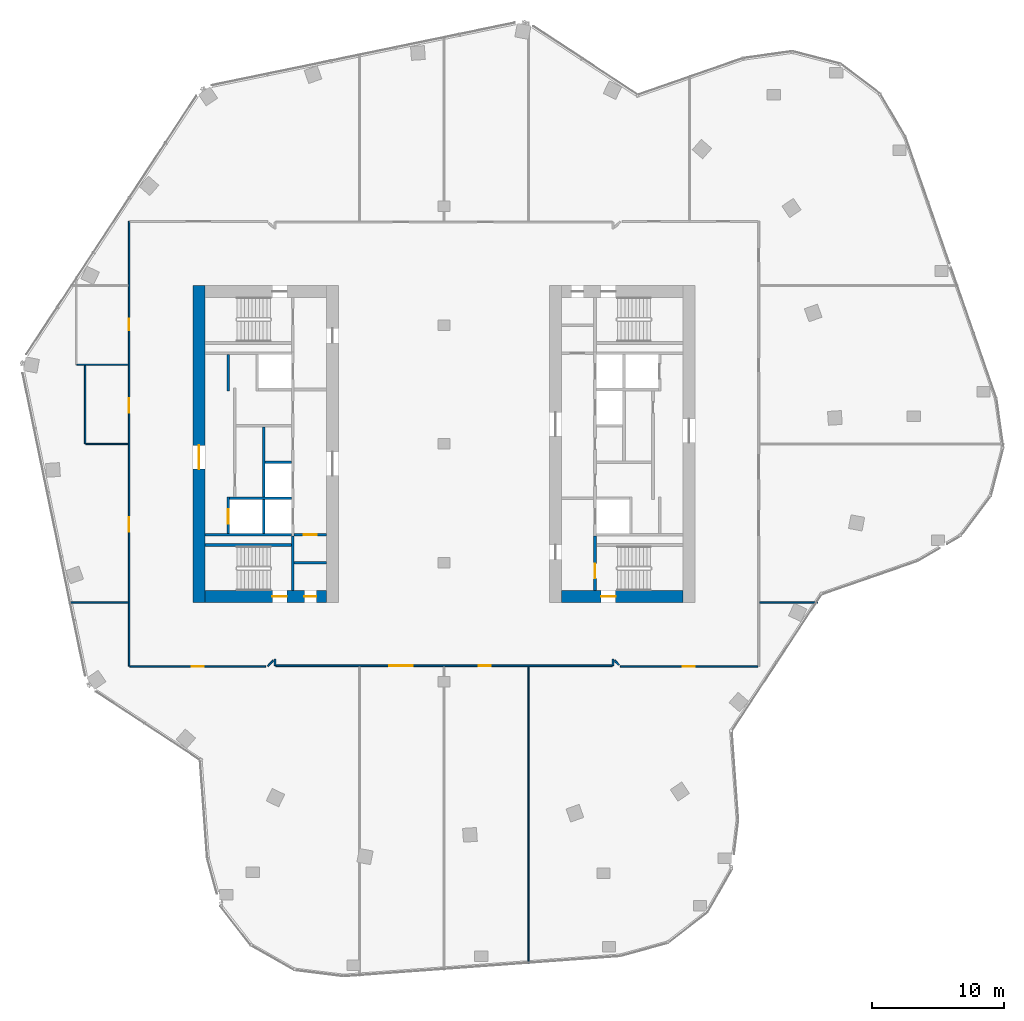
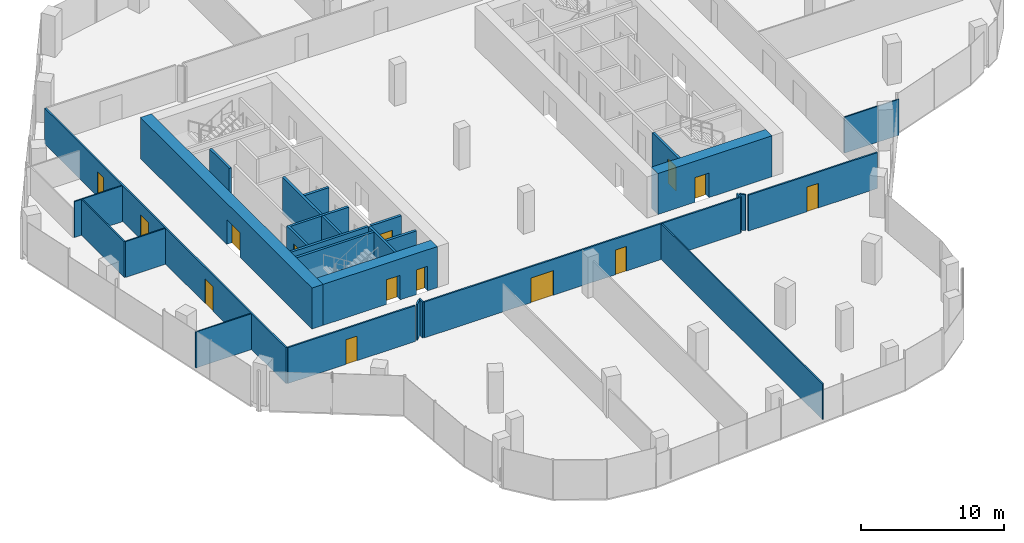
# One storey, part 18 of 24: 29 walls, 14 doors, 14 openings.
"""IFC4 building model written with IfcOpenShell, lengths in metres."""

from ifc_helpers import new_model, si_unit, direction, frame, frame_2d, origin, place, context, subcontext, project, spatial, rectangle, extrude, material, layer, layer_set, type_object, element, fill, save


model = new_model("IFC4")

# Units and contexts
model_context = context("Model", 3, precision=1e-05, world=origin(), true_north=direction((0.0, 1.0)))
body_context = subcontext(model_context, "Body", "Model", "MODEL_VIEW")
ifc_project = project(units=[si_unit("LENGTHUNIT", "METRE"), si_unit("AREAUNIT", "SQUARE_METRE"), si_unit("VOLUMEUNIT", "CUBIC_METRE"), si_unit("PLANEANGLEUNIT", "RADIAN"), si_unit("MASSUNIT", "GRAM", prefix="KILO")], contexts=[model_context])

# Site, building, storey
site_placement = place(None, origin())
site = spatial("IfcSite", under=ifc_project, at=site_placement, CompositionType="ELEMENT")
building_placement = place(site_placement, origin())
building = spatial("IfcBuilding", under=site, at=building_placement, Name="Orlundy Tower", CompositionType="ELEMENT")
storey_placement = place(building_placement, frame((0.0, 0.0, 246.0)))
storey = spatial("IfcBuildingStorey", under=building, at=storey_placement, Name="L65", CompositionType="ELEMENT", Elevation=246.0)

# Wall, openings, doors
ifc_material_1 = material(Name="Concrete C60/75", Category="concrete")
ifc_layer_1 = layer(ifc_material_1, 0.89990234375)
ifc_layer_set_1 = layer_set([ifc_layer_1], Name="CORE WALL 900 C60/75")
wall_type_1 = type_object("IfcWallType", Name="CORE WALL 900 C60/75", PredefinedType="SHEAR", material=ifc_layer_set_1)
wall_1_placement = place(storey_placement, frame((-18.10009765625, -11.550048828125, 0.0), z_axis=(0.0, 0.0, 1.0), x_axis=(1.0, 0.0, 0.0)))
wall_1 = element("IfcWall", 1, at=wall_1_placement, inside=storey, type_object=wall_type_1, Name="Core wall W-S L65", PredefinedType="SHEAR", context=body_context, shape_type="SweptSolid", body=[
    extrude(rectangle(XDim=9.2001953125, YDim=0.89990234375, at=frame_2d((4.60009765625, 0.0))), origin(), (0.0, 0.0, 1.0), 3.5),
])
opening_1_placement = place(wall_1_placement, frame((5.10009765625, 0.0, 0.0)))
opening_1 = element("IfcOpeningElement", 2, at=opening_1_placement, cuts=wall_1, Name="Opening 49012", PredefinedType="OPENING", context=body_context, shape_type="SweptSolid", body=[
    extrude(rectangle(XDim=1.10009765625, YDim=2.10009765625, at=frame_2d((0.550048828125, 1.050048828125))), frame((0.0, 0.4599609375, 0.0), z_axis=(0.0, -1.0, 0.0), x_axis=(1.0, 0.0, 0.0)), (0.0, 0.0, 1.0), 0.919921875),
])
opening_2_placement = place(wall_1_placement, frame((7.530029296875, 0.0, 0.0)))
opening_2 = element("IfcOpeningElement", 3, at=opening_2_placement, cuts=wall_1, Name="Opening 49014", PredefinedType="OPENING", context=body_context, shape_type="SweptSolid", body=[
    extrude(rectangle(XDim=0.89990234375, YDim=2.10009765625, at=frame_2d((0.449951171875, 1.050048828125))), frame((0.0, 0.4599609375, 0.0), z_axis=(0.0, -1.0, 0.0), x_axis=(1.0, 0.0, 0.0)), (0.0, 0.0, 1.0), 0.919921875),
])
ifc_material_2 = material(Name="Timber door set", Category="wood")
door_type_1 = type_object("IfcDoorType", Name="Room Door 900x2100", OperationType="SINGLE_SWING_LEFT", PredefinedType="DOOR", material=ifc_material_2)
door_1_placement = place(opening_2_placement, origin())
door_1 = element("IfcDoor", 4, at=door_1_placement, inside=storey, type_object=door_type_1, Name="Store door 49014", OperationType="SINGLE_SWING_RIGHT", OverallHeight=2.10009765625, OverallWidth=0.89990234375, PredefinedType="DOOR", context=body_context, shape_type="SweptSolid", body=[
    extrude(rectangle(XDim=0.89990234375, YDim=2.10009765625, at=frame_2d((0.449951171875, 1.050048828125))), frame((0.0, 0.02490234375, 0.0), z_axis=(0.0, -1.0, 0.0), x_axis=(1.0, 0.0, 0.0)), (0.0, 0.0, 1.0), 0.050048828125),
])
fill(opening_2, door_1)
ifc_material_3 = material(Name="Steel door set", Category="steel")
door_type_2 = type_object("IfcDoorType", Name="Stair Door 1100x2100", OperationType="SINGLE_SWING_LEFT", PredefinedType="DOOR", material=ifc_material_3)
door_2_placement = place(opening_1_placement, origin())
door_2 = element("IfcDoor", 5, at=door_2_placement, inside=storey, type_object=door_type_2, Name="Stair door 49012", OperationType="SINGLE_SWING_RIGHT", OverallHeight=2.10009765625, OverallWidth=1.10009765625, PredefinedType="DOOR", context=body_context, shape_type="SweptSolid", body=[
    extrude(rectangle(XDim=1.10009765625, YDim=2.10009765625, at=frame_2d((0.550048828125, 1.050048828125))), frame((0.0, 0.02490234375, 0.0), z_axis=(0.0, -1.0, 0.0), x_axis=(1.0, 0.0, 0.0)), (0.0, 0.0, 1.0), 0.050048828125),
])
fill(opening_1, door_2)

# Wall, opening, door
wall_2_placement = place(storey_placement, frame((-18.550048828125, -12.0, 0.0), z_axis=(0.0, 0.0, 1.0), x_axis=(0.0, 1.0, 0.0)))
wall_2 = element("IfcWall", 6, at=wall_2_placement, inside=storey, type_object=wall_type_1, Name="Core wall W-W L65", PredefinedType="SHEAR", context=body_context, shape_type="SweptSolid", body=[
    extrude(rectangle(XDim=24.0, YDim=0.89990234375, at=frame_2d((12.0, 0.0))), origin(), (0.0, 0.0, 1.0), 3.5),
])
opening_3_placement = place(wall_2_placement, frame((10.10009765625, 0.0, 0.0)))
opening_3 = element("IfcOpeningElement", 7, at=opening_3_placement, cuts=wall_2, Name="Opening 49009", PredefinedType="OPENING", context=body_context, shape_type="SweptSolid", body=[
    extrude(rectangle(XDim=1.800048828125, YDim=2.10009765625, at=frame_2d((0.89990234375, 1.050048828125))), frame((0.0, 0.4599609375, 0.0), z_axis=(0.0, -1.0, 0.0), x_axis=(1.0, 0.0, 0.0)), (0.0, 0.0, 1.0), 0.919921875),
])
ifc_material_4 = material(Name="Timber door set", Category="wood")
door_type_3 = type_object("IfcDoorType", Name="Lobby Door 1800x2100", OperationType="DOUBLE_DOOR_DOUBLE_SWING", PredefinedType="DOOR", material=ifc_material_4)
door_3_placement = place(opening_3_placement, origin())
door_3 = element("IfcDoor", 8, at=door_3_placement, inside=storey, type_object=door_type_3, Name="Lift lobby door 49009", OperationType="SINGLE_SWING_LEFT", OverallHeight=2.10009765625, OverallWidth=1.800048828125, PredefinedType="DOOR", context=body_context, shape_type="SweptSolid", body=[
    extrude(rectangle(XDim=1.800048828125, YDim=2.10009765625, at=frame_2d((0.89990234375, 1.050048828125))), frame((0.0, 0.02490234375, 0.0), z_axis=(0.0, -1.0, 0.0), x_axis=(1.0, 0.0, 0.0)), (0.0, 0.0, 1.0), 0.050048828125),
])
fill(opening_3, door_3)

wall_3_placement = place(storey_placement, frame((8.89990234375, -11.550048828125, 0.0), z_axis=(0.0, 0.0, 1.0), x_axis=(1.0, 0.0, 0.0)))
wall_3 = element("IfcWall", 9, at=wall_3_placement, inside=storey, type_object=wall_type_1, Name="Core wall E-S L65", PredefinedType="SHEAR", context=body_context, shape_type="SweptSolid", body=[
    extrude(rectangle(XDim=9.2001953125, YDim=0.89990234375, at=frame_2d((4.60009765625, 0.0))), origin(), (0.0, 0.0, 1.0), 3.5),
])
opening_4_placement = place(wall_3_placement, frame((3.0, 0.0, 0.0)))
opening_4 = element("IfcOpeningElement", 10, at=opening_4_placement, cuts=wall_3, Name="Opening 49060", PredefinedType="OPENING", context=body_context, shape_type="SweptSolid", body=[
    extrude(rectangle(XDim=1.10009765625, YDim=2.10009765625, at=frame_2d((0.550048828125, 1.050048828125))), frame((0.0, 0.4599609375, 0.0), z_axis=(0.0, -1.0, 0.0), x_axis=(1.0, 0.0, 0.0)), (0.0, 0.0, 1.0), 0.919921875),
])
door_4_placement = place(opening_4_placement, origin())
door_4 = element("IfcDoor", 11, at=door_4_placement, inside=storey, type_object=door_type_2, Name="Stair door 49060", OperationType="SINGLE_SWING_LEFT", OverallHeight=2.10009765625, OverallWidth=1.10009765625, PredefinedType="DOOR", context=body_context, shape_type="SweptSolid", body=[
    extrude(rectangle(XDim=1.10009765625, YDim=2.10009765625, at=frame_2d((0.550048828125, 1.050048828125))), frame((0.0, 0.02490234375, 0.0), z_axis=(0.0, -1.0, 0.0), x_axis=(1.0, 0.0, 0.0)), (0.0, 0.0, 1.0), 0.050048828125),
])
fill(opening_4, door_4)

# Walls
ifc_material_5 = material(Name="Gypsum board partition")
ifc_layer_2 = layer(ifc_material_5, 0.10009765625)
ifc_layer_set_2 = layer_set([ifc_layer_2], Name="Floor partition 100")
wall_type_2 = type_object("IfcWallType", Name="Floor partition 100", PredefinedType="PARTITIONING", material=ifc_layer_set_2)
wall_4_placement = place(storey_placement, frame((-28.409912109375, -12.0, 0.0), z_axis=(0.0, 0.0, 1.0), x_axis=(1.0, 0.0, 0.0)))
element("IfcWall", 12, at=wall_4_placement, inside=storey, type_object=wall_type_2, Name="wall-int-L65-006", PredefinedType="PARTITIONING", context=body_context, shape_type="SweptSolid", body=[
    extrude(rectangle(XDim=4.496826171875, YDim=0.10009765625, at=frame_2d((2.24853515625, 0.0))), origin(), (0.0, 0.0, 1.0), 3.06005859375),
])
wall_5_placement = place(storey_placement, frame((23.9130859375, -12.0, 0.0), z_axis=(0.0, 0.0, 1.0), x_axis=(1.0, 0.0, 0.0)))
element("IfcWall", 13, at=wall_5_placement, inside=storey, type_object=wall_type_2, Name="wall-int-L65-007", PredefinedType="PARTITIONING", context=body_context, shape_type="SweptSolid", body=[
    extrude(rectangle(XDim=4.39990234375, YDim=0.10009765625, at=frame_2d((2.199951171875, 0.0))), origin(), (0.0, 0.0, 1.0), 3.06005859375),
])
wall_6_placement = place(storey_placement, frame((-27.131103515625, 0.0009765625, 0.0), z_axis=(0.0, 0.0, 1.0), x_axis=(1.0, 0.0, 0.0)))
element("IfcWall", 14, at=wall_6_placement, inside=storey, type_object=wall_type_2, Name="wall-int-L65-008", PredefinedType="PARTITIONING", context=body_context, shape_type="SweptSolid", body=[
    extrude(rectangle(XDim=3.218017578125, YDim=0.10009765625, at=frame_2d((1.60888671875, 0.0))), origin(), (0.0, 0.0, 1.0), 3.06005859375),
])
wall_7_placement = place(storey_placement, frame((-27.798095703125, 6.0009765625, 0.0), z_axis=(0.0, 0.0, 1.0), x_axis=(1.0, 0.0, 0.0)))
element("IfcWall", 15, at=wall_7_placement, inside=storey, type_object=wall_type_2, Name="wall-int-L65-010", PredefinedType="PARTITIONING", context=body_context, shape_type="SweptSolid", body=[
    extrude(rectangle(XDim=3.885009765625, YDim=0.10009765625, at=frame_2d((1.9423828125, 0.0))), origin(), (0.0, 0.0, 1.0), 3.06005859375),
])
wall_8_placement = place(storey_placement, frame((6.39892578125, -39.389892578125, 0.0), z_axis=(0.0, 0.0, 1.0), x_axis=(0.0, 1.0, 0.0)))
element("IfcWall", 16, at=wall_8_placement, inside=storey, type_object=wall_type_2, Name="wall-int-L65-022", PredefinedType="PARTITIONING", context=body_context, shape_type="SweptSolid", body=[
    extrude(rectangle(XDim=22.52685546875, YDim=0.10009765625, at=frame_2d((11.263427734375, 0.0))), origin(), (0.0, 0.0, 1.0), 3.06005859375),
])
wall_9_placement = place(storey_placement, frame((-27.181884765625, 0.001953125, 0.0), z_axis=(0.0, 0.0, 1.0), x_axis=(0.0, 1.0, 0.0)))
element("IfcWall", 17, at=wall_9_placement, inside=storey, type_object=wall_type_2, Name="wall-int-L65-031", PredefinedType="PARTITIONING", context=body_context, shape_type="SweptSolid", body=[
    extrude(rectangle(XDim=5.948974609375, YDim=0.10009765625, at=frame_2d((2.974609375, 0.0))), origin(), (0.0, 0.0, 1.0), 3.06005859375),
])
ifc_material_6 = material(Name="Gypsum board partition, double layer")
ifc_layer_3 = layer(ifc_material_6, 0.125)
ifc_layer_set_3 = layer_set([ifc_layer_3], Name="Floor partition 125")
wall_type_3 = type_object("IfcWallType", Name="Floor partition 125", PredefinedType="PARTITIONING", material=ifc_layer_set_3)
wall_10_placement = place(storey_placement, frame((12.928955078125, -16.406982421875, 0.0), z_axis=(0.0, 0.0, 1.0), x_axis=(0.707106781187, -0.707106781187, 0.0)))
element("IfcWall", 18, at=wall_10_placement, inside=storey, type_object=wall_type_3, Name="wall-int-L65-001", PredefinedType="PARTITIONING", context=body_context, shape_type="SweptSolid", body=[
    extrude(rectangle(XDim=0.448486328125, YDim=0.125, at=frame_2d((0.22412109375, 0.0))), origin(), (0.0, 0.0, 1.0), 3.06005859375),
])

# Wall, opening, door
wall_11_placement = place(storey_placement, frame((-13.510009765625, -16.85009765625, 0.0), z_axis=(0.0, 0.0, 1.0), x_axis=(-1.0, 0.0, 0.0)))
wall_11 = element("IfcWall", 19, at=wall_11_placement, inside=storey, type_object=wall_type_3, Name="wall-int-L65-003", PredefinedType="PARTITIONING", context=body_context, shape_type="SweptSolid", body=[
    extrude(rectangle(XDim=10.278076171875, YDim=0.125, at=frame_2d((5.13916015625, 0.0))), origin(), (0.0, 0.0, 1.0), 3.06005859375),
])
opening_5_placement = place(wall_11_placement, frame((4.69921875, 0.0, 0.0)))
opening_5 = element("IfcOpeningElement", 20, at=opening_5_placement, cuts=wall_11, Name="Opening 49100", PredefinedType="OPENING", context=body_context, shape_type="SweptSolid", body=[
    extrude(rectangle(XDim=0.89990234375, YDim=2.10009765625, at=frame_2d((0.449951171875, 1.050048828125))), frame((0.0, 0.072509765625, 0.0), z_axis=(0.0, -1.0, 0.0), x_axis=(1.0, 0.0, 0.0)), (0.0, 0.0, 1.0), 0.14501953125),
])
ifc_material_7 = material(Name="Timber door leaf", Category="wood")
door_type_4 = type_object("IfcDoorType", Name="Floor door single 900 FD30S", OperationType="NOTDEFINED", PredefinedType="DOOR", material=ifc_material_7)
door_5_placement = place(opening_5_placement, origin())
door_5 = element("IfcDoor", 21, at=door_5_placement, inside=storey, type_object=door_type_4, Name="Door 49100", OperationType="SINGLE_SWING_RIGHT", OverallHeight=2.10009765625, OverallWidth=0.89990234375, PredefinedType="DOOR", context=body_context, shape_type="SweptSolid", body=[
    extrude(rectangle(XDim=0.89990234375, YDim=2.10009765625, at=frame_2d((0.449951171875, 1.050048828125))), frame((0.0, 0.02490234375, 0.0), z_axis=(0.0, -1.0, 0.0), x_axis=(1.0, 0.0, 0.0)), (0.0, 0.0, 1.0), 0.050048828125),
])
fill(opening_5, door_5)

wall_12_placement = place(storey_placement, frame((23.7880859375, -16.85009765625, 0.0), z_axis=(0.0, 0.0, 1.0), x_axis=(-1.0, 0.0, 0.0)))
wall_12 = element("IfcWall", 22, at=wall_12_placement, inside=storey, type_object=wall_type_3, Name="wall-int-L65-004", PredefinedType="PARTITIONING", context=body_context, shape_type="SweptSolid", body=[
    extrude(rectangle(XDim=10.42919921875, YDim=0.125, at=frame_2d((5.214599609375, 0.0))), origin(), (0.0, 0.0, 1.0), 3.06005859375),
])
opening_6_placement = place(wall_12_placement, frame((4.78759765625, 0.0, 0.0)))
opening_6 = element("IfcOpeningElement", 23, at=opening_6_placement, cuts=wall_12, Name="Opening 49103", PredefinedType="OPENING", context=body_context, shape_type="SweptSolid", body=[
    extrude(rectangle(XDim=0.89990234375, YDim=2.10009765625, at=frame_2d((0.449951171875, 1.050048828125))), frame((0.0, 0.072509765625, 0.0), z_axis=(0.0, -1.0, 0.0), x_axis=(1.0, 0.0, 0.0)), (0.0, 0.0, 1.0), 0.14501953125),
])
door_6_placement = place(opening_6_placement, origin())
door_6 = element("IfcDoor", 24, at=door_6_placement, inside=storey, type_object=door_type_4, Name="Door 49103", OperationType="SINGLE_SWING_RIGHT", OverallHeight=2.10009765625, OverallWidth=0.89990234375, PredefinedType="DOOR", context=body_context, shape_type="SweptSolid", body=[
    extrude(rectangle(XDim=0.89990234375, YDim=2.10009765625, at=frame_2d((0.449951171875, 1.050048828125))), frame((0.0, 0.02490234375, 0.0), z_axis=(0.0, -1.0, 0.0), x_axis=(1.0, 0.0, 0.0)), (0.0, 0.0, 1.0), 0.050048828125),
])
fill(opening_6, door_6)

# Wall, openings, doors
wall_13_placement = place(storey_placement, frame((12.739013671875, -16.800048828125, 0.0), z_axis=(0.0, 0.0, 1.0), x_axis=(-1.0, 0.0, 0.0)))
wall_13 = element("IfcWall", 25, at=wall_13_placement, inside=storey, type_object=wall_type_3, Name="wall-int-L65-005", PredefinedType="PARTITIONING", context=body_context, shape_type="SweptSolid", body=[
    extrude(rectangle(XDim=25.47802734375, YDim=0.125, at=frame_2d((12.739013671875, 0.0))), origin(), (0.0, 0.0, 1.0), 3.06005859375),
])
opening_7_placement = place(wall_13_placement, frame((15.08837890625, 0.0, 0.0)))
opening_7 = element("IfcOpeningElement", 26, at=opening_7_placement, cuts=wall_13, Name="Opening 49101", PredefinedType="OPENING", context=body_context, shape_type="SweptSolid", body=[
    extrude(rectangle(XDim=1.800048828125, YDim=2.10009765625, at=frame_2d((0.89990234375, 1.050048828125))), frame((0.0, 0.072509765625, 0.0), z_axis=(0.0, -1.0, 0.0), x_axis=(1.0, 0.0, 0.0)), (0.0, 0.0, 1.0), 0.14501953125),
])
opening_8_placement = place(wall_13_placement, frame((9.189453125, 0.0, 0.0)))
opening_8 = element("IfcOpeningElement", 27, at=opening_8_placement, cuts=wall_13, Name="Opening 49102", PredefinedType="OPENING", context=body_context, shape_type="SweptSolid", body=[
    extrude(rectangle(XDim=0.89990234375, YDim=2.10009765625, at=frame_2d((0.449951171875, 1.050048828125))), frame((0.0, 0.072509765625, 0.0), z_axis=(0.0, -1.0, 0.0), x_axis=(1.0, 0.0, 0.0)), (0.0, 0.0, 1.0), 0.14501953125),
])
ifc_material_8 = material(Name="Timber door leaf", Category="wood")
door_type_5 = type_object("IfcDoorType", Name="Floor door double 1800 FD30S", OperationType="NOTDEFINED", PredefinedType="DOOR", material=ifc_material_8)
door_7_placement = place(opening_7_placement, origin())
door_7 = element("IfcDoor", 28, at=door_7_placement, inside=storey, type_object=door_type_5, Name="Door 49101", OperationType="DOUBLE_DOOR_SINGLE_SWING", OverallHeight=2.10009765625, OverallWidth=1.800048828125, PredefinedType="DOOR", context=body_context, shape_type="SweptSolid", body=[
    extrude(rectangle(XDim=1.800048828125, YDim=2.10009765625, at=frame_2d((0.89990234375, 1.050048828125))), frame((0.0, 0.02490234375, 0.0), z_axis=(0.0, -1.0, 0.0), x_axis=(1.0, 0.0, 0.0)), (0.0, 0.0, 1.0), 0.050048828125),
])
fill(opening_7, door_7)
door_8_placement = place(opening_8_placement, origin())
door_8 = element("IfcDoor", 29, at=door_8_placement, inside=storey, type_object=door_type_4, Name="Door 49102", OperationType="SINGLE_SWING_LEFT", OverallHeight=2.10009765625, OverallWidth=0.89990234375, PredefinedType="DOOR", context=body_context, shape_type="SweptSolid", body=[
    extrude(rectangle(XDim=0.89990234375, YDim=2.10009765625, at=frame_2d((0.449951171875, 1.050048828125))), frame((0.0, 0.02490234375, 0.0), z_axis=(0.0, -1.0, 0.0), x_axis=(1.0, 0.0, 0.0)), (0.0, 0.0, 1.0), 0.050048828125),
])
fill(opening_8, door_8)

# Walls
wall_14_placement = place(storey_placement, frame((-13.35302734375, -16.8310546875, 0.0), z_axis=(0.0, 0.0, 1.0), x_axis=(0.707106781187, 0.707106781187, 0.0)))
element("IfcWall", 30, at=wall_14_placement, inside=storey, type_object=wall_type_3, Name="wall-int-L65-016", PredefinedType="PARTITIONING", context=body_context, shape_type="SweptSolid", body=[
    extrude(rectangle(XDim=0.599609375, YDim=0.125, at=frame_2d((0.2998046875, 0.0))), origin(), (0.0, 0.0, 1.0), 3.06005859375),
])
for number, where, z_axis, x_axis, name in (
    (31, (12.801025390625, -16.800048828125, 0.0), (0.0, 0.0, 1.0), (0.0, 1.0, 0.0), "wall-int-L65-020"),
    (32, (-12.801025390625, -16.800048828125, 0.0), (0.0, 0.0, 1.0), (0.0, 1.0, 0.0), "wall-int-L65-028"),
):
    element("IfcWall", number, at=place(storey_placement, frame(where, z_axis=z_axis, x_axis=x_axis)), inside=storey, type_object=wall_type_3, Name=name, PredefinedType="PARTITIONING", context=body_context, shape_type="SweptSolid", body=[
        extrude(rectangle(XDim=0.508056640625, YDim=0.125, at=frame_2d((0.25390625, 0.0))), origin(), (0.0, 0.0, 1.0), 3.06005859375),
    ])

# Wall, openings, doors
wall_15_placement = place(storey_placement, frame((-23.85009765625, -16.85009765625, 0.0), z_axis=(0.0, 0.0, 1.0), x_axis=(0.0, 1.0, 0.0)))
wall_15 = element("IfcWall", 33, at=wall_15_placement, inside=storey, type_object=wall_type_3, Name="wall-int-L65-030", PredefinedType="PARTITIONING", context=body_context, shape_type="SweptSolid", body=[
    extrude(rectangle(XDim=33.701171875, YDim=0.125, at=frame_2d((16.8505859375, 0.0))), origin(), (0.0, 0.0, 1.0), 3.06005859375),
])
opening_9_placement = place(wall_15_placement, frame((10.199951171875, 0.0, 0.0)))
opening_9 = element("IfcOpeningElement", 34, at=opening_9_placement, cuts=wall_15, Name="Opening 49113", PredefinedType="OPENING", context=body_context, shape_type="SweptSolid", body=[
    extrude(rectangle(XDim=1.10009765625, YDim=2.10009765625, at=frame_2d((0.550048828125, 1.050048828125))), frame((0.0, 0.072509765625, 0.0), z_axis=(0.0, -1.0, 0.0), x_axis=(1.0, 0.0, 0.0)), (0.0, 0.0, 1.0), 0.14501953125),
])
opening_10_placement = place(wall_15_placement, frame((25.450927734375, 0.0, 0.0)))
opening_10 = element("IfcOpeningElement", 35, at=opening_10_placement, cuts=wall_15, Name="Opening 49114", PredefinedType="OPENING", context=body_context, shape_type="SweptSolid", body=[
    extrude(rectangle(XDim=0.89990234375, YDim=2.10009765625, at=frame_2d((0.449951171875, 1.050048828125))), frame((0.0, 0.072509765625, 0.0), z_axis=(0.0, -1.0, 0.0), x_axis=(1.0, 0.0, 0.0)), (0.0, 0.0, 1.0), 0.14501953125),
])
opening_11_placement = place(wall_15_placement, frame((19.201904296875, 0.0, 0.0)))
opening_11 = element("IfcOpeningElement", 36, at=opening_11_placement, cuts=wall_15, Name="Opening 49115", PredefinedType="OPENING", context=body_context, shape_type="SweptSolid", body=[
    extrude(rectangle(XDim=1.10009765625, YDim=2.10009765625, at=frame_2d((0.550048828125, 1.050048828125))), frame((0.0, 0.072509765625, 0.0), z_axis=(0.0, -1.0, 0.0), x_axis=(1.0, 0.0, 0.0)), (0.0, 0.0, 1.0), 0.14501953125),
])
door_9_placement = place(opening_10_placement, origin())
door_9 = element("IfcDoor", 37, at=door_9_placement, inside=storey, type_object=door_type_4, Name="Door 49114", OperationType="SINGLE_SWING_RIGHT", OverallHeight=2.10009765625, OverallWidth=0.89990234375, PredefinedType="DOOR", context=body_context, shape_type="SweptSolid", body=[
    extrude(rectangle(XDim=0.89990234375, YDim=2.10009765625, at=frame_2d((0.449951171875, 1.050048828125))), frame((0.0, 0.02490234375, 0.0), z_axis=(0.0, -1.0, 0.0), x_axis=(1.0, 0.0, 0.0)), (0.0, 0.0, 1.0), 0.050048828125),
])
fill(opening_10, door_9)
ifc_material_9 = material(Name="Timber door leaf", Category="wood")
door_type_6 = type_object("IfcDoorType", Name="Floor door xwide 1100 FD30S", OperationType="NOTDEFINED", PredefinedType="DOOR", material=ifc_material_9)
door_10_placement = place(opening_9_placement, origin())
door_10 = element("IfcDoor", 38, at=door_10_placement, inside=storey, type_object=door_type_6, Name="Door 49113", OperationType="SINGLE_SWING_LEFT", OverallHeight=2.10009765625, OverallWidth=1.10009765625, PredefinedType="DOOR", context=body_context, shape_type="SweptSolid", body=[
    extrude(rectangle(XDim=1.10009765625, YDim=2.10009765625, at=frame_2d((0.550048828125, 1.050048828125))), frame((0.0, 0.02490234375, 0.0), z_axis=(0.0, -1.0, 0.0), x_axis=(1.0, 0.0, 0.0)), (0.0, 0.0, 1.0), 0.050048828125),
])
fill(opening_9, door_10)
door_11_placement = place(opening_11_placement, origin())
door_11 = element("IfcDoor", 39, at=door_11_placement, inside=storey, type_object=door_type_6, Name="Door 49115", OperationType="SINGLE_SWING_RIGHT", OverallHeight=2.10009765625, OverallWidth=1.10009765625, PredefinedType="DOOR", context=body_context, shape_type="SweptSolid", body=[
    extrude(rectangle(XDim=1.10009765625, YDim=2.10009765625, at=frame_2d((0.550048828125, 1.050048828125))), frame((0.0, 0.02490234375, 0.0), z_axis=(0.0, -1.0, 0.0), x_axis=(1.0, 0.0, 0.0)), (0.0, 0.0, 1.0), 0.050048828125),
])
fill(opening_11, door_11)

# Walls
ifc_material_10 = material(Name="Concrete C40/50", Category="concrete")
ifc_layer_4 = layer(ifc_material_10, 0.199951171875)
ifc_layer_set_4 = layer_set([ifc_layer_4], Name="Load-bearing Shaft Wall 200")
wall_type_4 = type_object("IfcWallType", Name="Load-bearing Shaft Wall 200", PredefinedType="SOLIDWALL", material=ifc_layer_set_4)
wall_16_placement = place(storey_placement, frame((-11.43994140625, -11.10009765625, 0.0), z_axis=(0.0, 0.0, 1.0), x_axis=(0.0, 1.0, 0.0)))
element("IfcWall", 40, at=wall_16_placement, inside=storey, type_object=wall_type_4, Name="Shaft wall W49-stair-end-s", PredefinedType="SOLIDWALL", context=body_context, shape_type="SweptSolid", body=[
    extrude(rectangle(XDim=4.125, YDim=0.199951171875, at=frame_2d((2.0625, 0.0))), origin(), (0.0, 0.0, 1.0), 3.080078125),
])
wall_17_placement = place(storey_placement, frame((-11.5400390625, -7.64990234375, 0.0), z_axis=(0.0, 0.0, 1.0), x_axis=(-1.0, 0.0, 0.0)))
element("IfcWall", 41, at=wall_17_placement, inside=storey, type_object=wall_type_4, Name="Shaft wall W49-stair-side-s", PredefinedType="SOLIDWALL", context=body_context, shape_type="SweptSolid", body=[
    extrude(rectangle(XDim=6.56005859375, YDim=0.199951171875, at=frame_2d((3.280029296875, 0.0))), origin(), (0.0, 0.0, 1.0), 3.080078125),
])

# Wall, opening, door
wall_18_placement = place(storey_placement, frame((11.43994140625, -6.97509765625, 0.0), z_axis=(0.0, 0.0, 1.0), x_axis=(0.0, -1.0, 0.0)))
wall_18 = element("IfcWall", 42, at=wall_18_placement, inside=storey, type_object=wall_type_4, Name="Shaft wall E49-stair-end-n", PredefinedType="SOLIDWALL", context=body_context, shape_type="SweptSolid", body=[
    extrude(rectangle(XDim=4.125, YDim=0.199951171875, at=frame_2d((2.0625, 0.0))), origin(), (0.0, 0.0, 1.0), 3.080078125),
])
opening_12_placement = place(wall_18_placement, frame((2.10009765625, 0.0, 0.0)))
opening_12 = element("IfcOpeningElement", 43, at=opening_12_placement, cuts=wall_18, Name="Opening 49062", PredefinedType="OPENING", context=body_context, shape_type="SweptSolid", body=[
    extrude(rectangle(XDim=1.10009765625, YDim=2.10009765625, at=frame_2d((0.550048828125, 1.050048828125))), frame((0.0, 0.110107421875, 0.0), z_axis=(0.0, -1.0, 0.0), x_axis=(1.0, 0.0, 0.0)), (0.0, 0.0, 1.0), 0.22021484375),
])
ifc_material_11 = material(Name="Steel door set", Category="steel")
door_type_7 = type_object("IfcDoorType", Name="Fire-fighting Lobby Door 1100x2100", OperationType="SINGLE_SWING_LEFT", PredefinedType="DOOR", material=ifc_material_11)
door_12_placement = place(opening_12_placement, origin())
door_12 = element("IfcDoor", 44, at=door_12_placement, inside=storey, type_object=door_type_7, Name="Fire-fighting lobby to stair door 49062", OperationType="SINGLE_SWING_RIGHT", OverallHeight=2.10009765625, OverallWidth=1.10009765625, PredefinedType="DOOR", context=body_context, shape_type="SweptSolid", body=[
    extrude(rectangle(XDim=1.10009765625, YDim=2.10009765625, at=frame_2d((0.550048828125, 1.050048828125))), frame((0.0, 0.02490234375, 0.0), z_axis=(0.0, -1.0, 0.0), x_axis=(1.0, 0.0, 0.0)), (0.0, 0.0, 1.0), 0.050048828125),
])
fill(opening_12, door_12)

ifc_material_12 = material(Name="Gypsum board partition on steel studs", Category="steel")
ifc_layer_5 = layer(ifc_material_12, 0.199951171875)
ifc_layer_set_5 = layer_set([ifc_layer_5], Name="Partition 200")
wall_type_5 = type_object("IfcWallType", Name="Partition 200", PredefinedType="PARTITIONING", material=ifc_layer_set_5)
wall_19_placement = place(storey_placement, frame((-8.89990234375, -6.875, 0.0), z_axis=(0.0, 0.0, 1.0), x_axis=(-1.0, 0.0, 0.0)))
wall_19 = element("IfcWall", 45, at=wall_19_placement, inside=storey, type_object=wall_type_5, Name="Partition wall W49-end-s", PredefinedType="PARTITIONING", context=body_context, shape_type="SweptSolid", body=[
    extrude(rectangle(XDim=2.440185546875, YDim=0.199951171875, at=frame_2d((1.22021484375, 0.0))), origin(), (0.0, 0.0, 1.0), 3.080078125),
])
opening_13_placement = place(wall_19_placement, frame((0.719970703125, 0.0, 0.0)))
opening_13 = element("IfcOpeningElement", 46, at=opening_13_placement, cuts=wall_19, Name="Opening 49015", PredefinedType="OPENING", context=body_context, shape_type="SweptSolid", body=[
    extrude(rectangle(XDim=1.0, YDim=2.10009765625, at=frame_2d((0.5, 1.050048828125))), frame((0.0, 0.110107421875, 0.0), z_axis=(0.0, -1.0, 0.0), x_axis=(1.0, 0.0, 0.0)), (0.0, 0.0, 1.0), 0.22021484375),
])
ifc_material_13 = material(Name="Timber door set", Category="wood")
door_type_8 = type_object("IfcDoorType", Name="Accessible Door 1000x2100", OperationType="SINGLE_SWING_LEFT", PredefinedType="DOOR", material=ifc_material_13)
door_13_placement = place(opening_13_placement, origin())
door_13 = element("IfcDoor", 47, at=door_13_placement, inside=storey, type_object=door_type_8, Name="Accessible WC door 49015", OperationType="SINGLE_SWING_RIGHT", OverallHeight=2.10009765625, OverallWidth=1.0, PredefinedType="DOOR", context=body_context, shape_type="SweptSolid", body=[
    extrude(rectangle(XDim=1.0, YDim=2.10009765625, at=frame_2d((0.5, 1.050048828125))), frame((0.0, 0.02490234375, 0.0), z_axis=(0.0, -1.0, 0.0), x_axis=(1.0, 0.0, 0.0)), (0.0, 0.0, 1.0), 0.050048828125),
])
fill(opening_13, door_13)

# Walls
wall_20_placement = place(storey_placement, frame((-8.89990234375, -9.0, 0.0), z_axis=(0.0, 0.0, 1.0), x_axis=(-1.0, 0.0, 0.0)))
element("IfcWall", 48, at=wall_20_placement, inside=storey, type_object=wall_type_5, Name="Partition wall W49-room-s0", PredefinedType="PARTITIONING", context=body_context, shape_type="SweptSolid", body=[
    extrude(rectangle(XDim=2.440185546875, YDim=0.199951171875, at=frame_2d((1.22021484375, 0.0))), origin(), (0.0, 0.0, 1.0), 3.080078125),
])
ifc_material_14 = material(Name="Fire-rated blockwork shaft wall", Category="masonry")
ifc_layer_6 = layer(ifc_material_14, 0.199951171875)
ifc_layer_set_6 = layer_set([ifc_layer_6], Name="Shaft Wall 200")
wall_type_6 = type_object("IfcWallType", Name="Shaft Wall 200", PredefinedType="SOLIDWALL", material=ifc_layer_set_6)
wall_21_placement = place(storey_placement, frame((-11.5400390625, -6.875, 0.0), z_axis=(0.0, 0.0, 1.0), x_axis=(-1.0, 0.0, 0.0)))
element("IfcWall", 49, at=wall_21_placement, inside=storey, type_object=wall_type_6, Name="Shaft wall W49-zone-s", PredefinedType="SOLIDWALL", context=body_context, shape_type="SweptSolid", body=[
    extrude(rectangle(XDim=6.56005859375, YDim=0.199951171875, at=frame_2d((3.280029296875, 0.0))), origin(), (0.0, 0.0, 1.0), 3.080078125),
])
wall_22_placement = place(storey_placement, frame((-11.5400390625, -4.125, 0.0), z_axis=(0.0, 0.0, 1.0), x_axis=(-1.0, 0.0, 0.0)))
element("IfcWall", 50, at=wall_22_placement, inside=storey, type_object=wall_type_6, Name="Shaft wall W49-cross-4.125", PredefinedType="SOLIDWALL", context=body_context, shape_type="SweptSolid", body=[
    extrude(rectangle(XDim=4.699951171875, YDim=0.199951171875, at=frame_2d((2.35009765625, 0.0))), origin(), (0.0, 0.0, 1.0), 3.080078125),
])
wall_23_placement = place(storey_placement, frame((-11.5400390625, -1.375, 0.0), z_axis=(0.0, 0.0, 1.0), x_axis=(-1.0, 0.0, 0.0)))
element("IfcWall", 51, at=wall_23_placement, inside=storey, type_object=wall_type_6, Name="Shaft wall W49-cross-1.375", PredefinedType="SOLIDWALL", context=body_context, shape_type="SweptSolid", body=[
    extrude(rectangle(XDim=2.0, YDim=0.199951171875, at=frame_2d((1.0, 0.0))), origin(), (0.0, 0.0, 1.0), 3.080078125),
])
wall_24_placement = place(storey_placement, frame((-13.639892578125, -6.77490234375, 0.0), z_axis=(0.0, 0.0, 1.0), x_axis=(0.0, 1.0, 0.0)))
element("IfcWall", 52, at=wall_24_placement, inside=storey, type_object=wall_type_6, Name="Shaft wall W49-mid-a", PredefinedType="SOLIDWALL", context=body_context, shape_type="SweptSolid", body=[
    extrude(rectangle(XDim=2.5498046875, YDim=0.199951171875, at=frame_2d((1.27490234375, 0.0))), origin(), (0.0, 0.0, 1.0), 3.080078125),
])
wall_25_placement = place(storey_placement, frame((-13.639892578125, -4.02490234375, 0.0), z_axis=(0.0, 0.0, 1.0), x_axis=(0.0, 1.0, 0.0)))
element("IfcWall", 53, at=wall_25_placement, inside=storey, type_object=wall_type_6, Name="Shaft wall W49-mid-a.1", PredefinedType="SOLIDWALL", context=body_context, shape_type="SweptSolid", body=[
    extrude(rectangle(XDim=5.2998046875, YDim=0.199951171875, at=frame_2d((2.64990234375, 0.0))), origin(), (0.0, 0.0, 1.0), 3.080078125),
])

# Wall, opening, door
wall_26_placement = place(storey_placement, frame((-16.340087890625, -6.77490234375, 0.0), z_axis=(0.0, 0.0, 1.0), x_axis=(0.0, 1.0, 0.0)))
wall_26 = element("IfcWall", 54, at=wall_26_placement, inside=storey, type_object=wall_type_6, Name="Shaft wall W49-front-o-a", PredefinedType="SOLIDWALL", context=body_context, shape_type="SweptSolid", body=[
    extrude(rectangle(XDim=2.75, YDim=0.199951171875, at=frame_2d((1.375, 0.0))), origin(), (0.0, 0.0, 1.0), 3.080078125),
])
opening_14_placement = place(wall_26_placement, frame((0.72509765625, 0.0, 0.0)))
opening_14 = element("IfcOpeningElement", 55, at=opening_14_placement, cuts=wall_26, Name="Opening 49002", PredefinedType="OPENING", context=body_context, shape_type="SweptSolid", body=[
    extrude(rectangle(XDim=1.10009765625, YDim=2.10009765625, at=frame_2d((0.550048828125, 1.050048828125))), frame((0.0, 0.110107421875, 0.0), z_axis=(0.0, -1.0, 0.0), x_axis=(1.0, 0.0, 0.0)), (0.0, 0.0, 1.0), 0.22021484375),
])
ifc_material_15 = material(Name="Steel door set", Category="steel")
door_type_9 = type_object("IfcDoorType", Name="Landing Door 1100x2100", OperationType="DOUBLE_DOOR_SLIDING", PredefinedType="DOOR", material=ifc_material_15)
door_14_placement = place(opening_14_placement, origin())
door_14 = element("IfcDoor", 56, at=door_14_placement, inside=storey, type_object=door_type_9, Name="Lift landing door LV-01 49002", OperationType="DOUBLE_DOOR_SLIDING", OverallHeight=2.10009765625, OverallWidth=1.10009765625, PredefinedType="DOOR", context=body_context, shape_type="SweptSolid", body=[
    extrude(rectangle(XDim=1.10009765625, YDim=2.10009765625, at=frame_2d((0.550048828125, 1.050048828125))), frame((0.0, 0.02490234375, 0.0), z_axis=(0.0, -1.0, 0.0), x_axis=(1.0, 0.0, 0.0)), (0.0, 0.0, 1.0), 0.050048828125),
])
fill(opening_14, door_14)

# Wall
wall_27_placement = place(storey_placement, frame((-16.340087890625, 4.02490234375, 0.0), z_axis=(0.0, 0.0, 1.0), x_axis=(0.0, 1.0, 0.0)))
element("IfcWall", 57, at=wall_27_placement, inside=storey, type_object=wall_type_6, Name="Shaft wall W49-front-o-c", PredefinedType="SOLIDWALL", context=body_context, shape_type="SweptSolid", body=[
    extrude(rectangle(XDim=2.75, YDim=0.199951171875, at=frame_2d((1.375, 0.0))), origin(), (0.0, 0.0, 1.0), 3.080078125),
])

save(model, "model.ifc")
